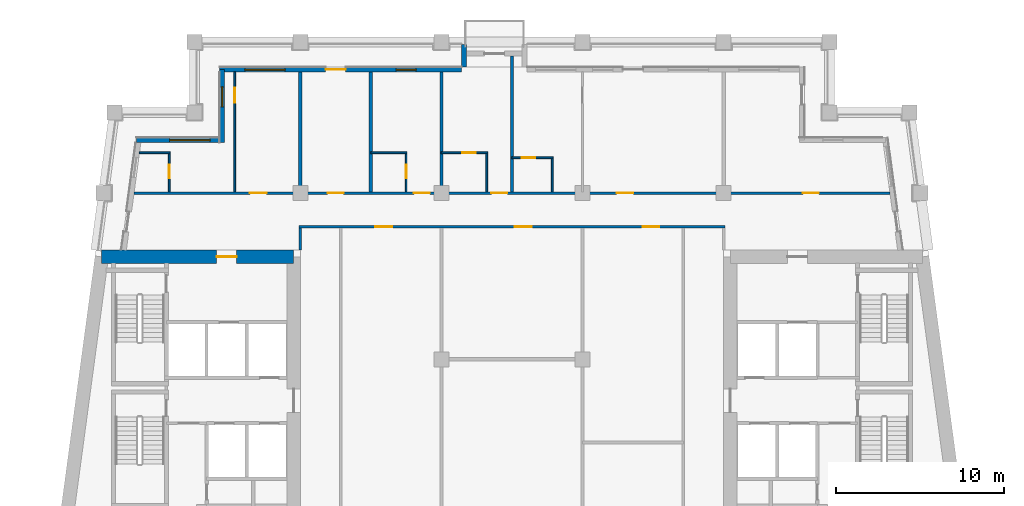
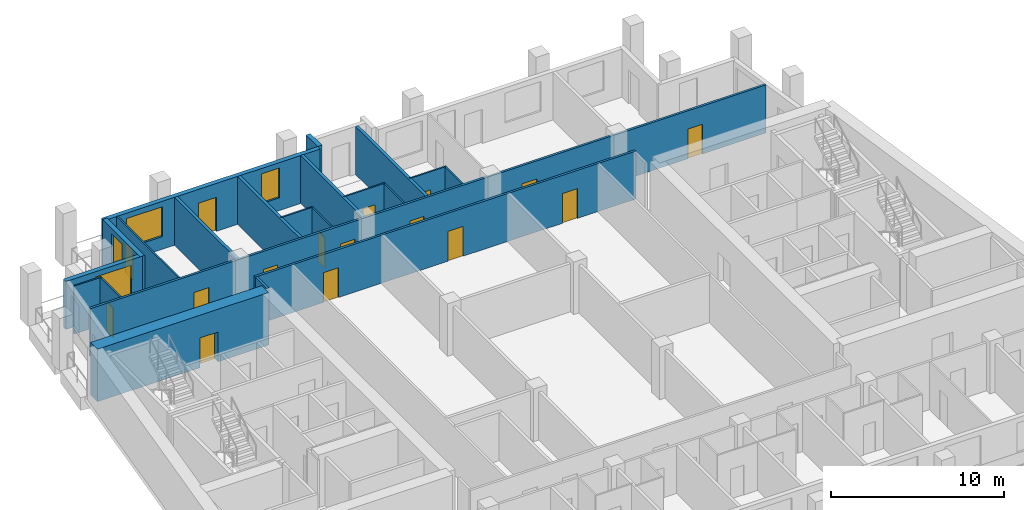
# One storey, part 6 of 12: 21 walls, 16 doors, 4 windows, 20 openings.
"""IFC4 building model written with IfcOpenShell, lengths in metres."""

from ifc_helpers import new_model, si_unit, direction, frame, frame_2d, origin, place, context, subcontext, project, spatial, rectangle, extrude, material, layer, layer_set, type_object, element, fill, save


model = new_model("IFC4")

# Units and contexts
model_context = context("Model", 3, precision=1e-05, world=origin(), true_north=direction((0.0, 1.0)))
body_context = subcontext(model_context, "Body", "Model", "MODEL_VIEW")
ifc_project = project(units=[si_unit("LENGTHUNIT", "METRE"), si_unit("AREAUNIT", "SQUARE_METRE"), si_unit("VOLUMEUNIT", "CUBIC_METRE"), si_unit("PLANEANGLEUNIT", "RADIAN"), si_unit("MASSUNIT", "GRAM", prefix="KILO")], contexts=[model_context])

# Site, building, storey
site_placement = place(None, origin())
site = spatial("IfcSite", under=ifc_project, at=site_placement, CompositionType="ELEMENT")
building_placement = place(site_placement, origin())
building = spatial("IfcBuilding", under=site, at=building_placement, Name="Candeia Pilgrim Tower and Theatre", CompositionType="ELEMENT")
storey_placement = place(building_placement, frame((0.0, 0.0, 217.0)))
storey = spatial("IfcBuildingStorey", under=building, at=storey_placement, Name="L52", CompositionType="ELEMENT", Elevation=217.0)

# Wall, opening, door
ifc_material_1 = material(Name="Concrete C50/60", Category="concrete")
ifc_layer_1 = layer(ifc_material_1, 0.800048828125)
ifc_layer_set_1 = layer_set([ifc_layer_1], Name="Core wall 800 C50/60")
wall_type_1 = type_object("IfcWallType", Name="Core wall 800 C50/60", PredefinedType="SHEAR", material=ifc_layer_set_1)
wall_1_placement = place(storey_placement, frame((88.98046875, 132.0, 0.0), z_axis=(0.0, 0.0, 1.0), x_axis=(1.0, 0.0, 0.0)))
wall_1 = element("IfcWall", 1, at=wall_1_placement, inside=storey, type_object=wall_type_1, Name="Core wall W1", PredefinedType="SHEAR", context=body_context, shape_type="SweptSolid", body=[
    extrude(rectangle(XDim=11.41943359375, YDim=0.800048828125, at=frame_2d((5.709716796875, 0.0))), origin(), (0.0, 0.0, 1.0), 3.699951171875),
])
opening_1_placement = place(wall_1_placement, frame((6.8330078125, 0.0, 0.0)))
opening_1 = element("IfcOpeningElement", 2, at=opening_1_placement, cuts=wall_1, Name="Opening L52-D054", PredefinedType="OPENING", context=body_context, shape_type="SweptSolid", body=[
    extrude(rectangle(XDim=1.199951171875, YDim=2.10009765625, at=frame_2d((0.60009765625, 1.050048828125))), frame((0.0, 0.41015625, 0.0), z_axis=(0.0, -1.0, 0.0), x_axis=(1.0, 0.0, 0.0)), (0.0, 0.0, 1.0), 0.820068359375),
])
ifc_material_2 = material(Name="Steel fire door set", Category="steel")
door_type_1 = type_object("IfcDoorType", Name="D-1200-FD60", OperationType="NOTDEFINED", PredefinedType="DOOR", material=ifc_material_2)
door_1_placement = place(opening_1_placement, origin())
door_1 = element("IfcDoor", 3, at=door_1_placement, inside=storey, type_object=door_type_1, Name="Door L52-D054", OperationType="SINGLE_SWING_RIGHT", OverallHeight=2.10009765625, OverallWidth=1.199951171875, PredefinedType="DOOR", context=body_context, shape_type="SweptSolid", body=[
    extrude(rectangle(XDim=1.199951171875, YDim=2.10009765625, at=frame_2d((0.60009765625, 1.050048828125))), frame((0.0, 0.02490234375, 0.0), z_axis=(0.0, -1.0, 0.0), x_axis=(1.0, 0.0, 0.0)), (0.0, 0.0, 1.0), 0.050048828125),
])
fill(opening_1, door_1)

# Wall, openings, door, windows
ifc_material_3 = material(Name="Ceramic block masonry", Category="masonry")
ifc_layer_2 = layer(ifc_material_3, 0.300048828125)
ifc_layer_set_2 = layer_set([ifc_layer_2], Name="EW1 glazing-line wall 300")
wall_type_2 = type_object("IfcWallType", Name="EW1 glazing-line wall 300", PredefinedType="SOLIDWALL", material=ifc_layer_set_2)
wall_2_placement = place(storey_placement, frame((110.39990234375, 143.14990234375, 0.0), z_axis=(0.0, 0.0, 1.0), x_axis=(-1.0, 0.0, 0.0)))
wall_2 = element("IfcWall", 4, at=wall_2_placement, inside=storey, type_object=wall_type_2, Name="External wall L52-6.1", PredefinedType="SOLIDWALL", context=body_context, shape_type="SweptSolid", body=[
    extrude(rectangle(XDim=14.39990234375, YDim=0.300048828125, at=frame_2d((7.199951171875, 0.0))), origin(), (0.0, 0.0, 1.0), 3.3798828125),
])
opening_2_placement = place(wall_2_placement, frame((2.699951171875, 0.0, 0.89990234375)))
opening_2 = element("IfcOpeningElement", 5, at=opening_2_placement, cuts=wall_2, Name="Opening W-B", PredefinedType="OPENING", context=body_context, shape_type="SweptSolid", body=[
    extrude(rectangle(XDim=1.199951171875, YDim=2.10009765625, at=frame_2d((0.60009765625, 1.050048828125))), frame((0.0, 0.16015625, 0.0), z_axis=(0.0, -1.0, 0.0), x_axis=(1.0, 0.0, 0.0)), (0.0, 0.0, 1.0), 0.320068359375),
])
opening_3_placement = place(wall_2_placement, frame((6.89990234375, 0.0, 0.0)))
opening_3 = element("IfcOpeningElement", 6, at=opening_3_placement, cuts=wall_2, Name="Opening L52-ED499", PredefinedType="OPENING", context=body_context, shape_type="SweptSolid", body=[
    extrude(rectangle(XDim=1.199951171875, YDim=2.39990234375, at=frame_2d((0.60009765625, 1.199951171875))), frame((0.0, 0.16015625, 0.0), z_axis=(0.0, -1.0, 0.0), x_axis=(1.0, 0.0, 0.0)), (0.0, 0.0, 1.0), 0.320068359375),
])
opening_4_placement = place(wall_2_placement, frame((10.5, 0.0, 0.89990234375)))
opening_4 = element("IfcOpeningElement", 7, at=opening_4_placement, cuts=wall_2, Name="Opening W-A", PredefinedType="OPENING", context=body_context, shape_type="SweptSolid", body=[
    extrude(rectangle(XDim=2.39990234375, YDim=2.10009765625, at=frame_2d((1.199951171875, 1.050048828125))), frame((0.0, 0.16015625, 0.0), z_axis=(0.0, -1.0, 0.0), x_axis=(1.0, 0.0, 0.0)), (0.0, 0.0, 1.0), 0.320068359375),
])
ifc_material_4 = material(Name="Aluminium framed glazed door", Category="aluminium")
door_type_2 = type_object("IfcDoorType", Name="Loggia door 1200x2400", OperationType="DOUBLE_DOOR_SINGLE_SWING", PredefinedType="DOOR", material=ifc_material_4)
door_2_placement = place(opening_3_placement, origin())
door_2 = element("IfcDoor", 8, at=door_2_placement, inside=storey, type_object=door_type_2, Name="Loggia door L52-ED499", OperationType="DOUBLE_DOOR_SINGLE_SWING", OverallHeight=2.39990234375, OverallWidth=1.199951171875, PredefinedType="DOOR", context=body_context, shape_type="SweptSolid", body=[
    extrude(rectangle(XDim=1.199951171875, YDim=2.39990234375, at=frame_2d((0.60009765625, 1.199951171875))), frame((0.0, 0.02490234375, 0.0), z_axis=(0.0, -1.0, 0.0), x_axis=(1.0, 0.0, 0.0)), (0.0, 0.0, 1.0), 0.050048828125),
])
fill(opening_3, door_2)
ifc_material_5 = material(Name="Aluminium framed double glazing", Category="aluminium")
window_type_1 = type_object("IfcWindowType", Name="W-A window 2400x2100", PartitioningType="DOUBLE_PANEL_VERTICAL", PredefinedType="WINDOW", material=ifc_material_5)
window_1_placement = place(opening_4_placement, origin())
window_1 = element("IfcWindow", 9, at=window_1_placement, inside=storey, type_object=window_type_1, Name="Window W-A L52", OverallHeight=2.10009765625, OverallWidth=2.39990234375, PartitioningType="SINGLE_PANEL", PredefinedType="WINDOW", context=body_context, shape_type="SweptSolid", body=[
    extrude(rectangle(XDim=2.39990234375, YDim=2.10009765625, at=frame_2d((1.199951171875, 1.050048828125))), frame((0.0, 0.030029296875, 0.0), z_axis=(0.0, -1.0, 0.0), x_axis=(1.0, 0.0, 0.0)), (0.0, 0.0, 1.0), 0.06005859375),
])
fill(opening_4, window_1)
window_type_2 = type_object("IfcWindowType", Name="W-B window 1200x2100", PartitioningType="SINGLE_PANEL", PredefinedType="WINDOW", material=ifc_material_5)
window_2_placement = place(opening_2_placement, origin())
window_2 = element("IfcWindow", 10, at=window_2_placement, inside=storey, type_object=window_type_2, Name="Window W-B L52", OverallHeight=2.10009765625, OverallWidth=1.199951171875, PartitioningType="SINGLE_PANEL", PredefinedType="WINDOW", context=body_context, shape_type="SweptSolid", body=[
    extrude(rectangle(XDim=1.199951171875, YDim=2.10009765625, at=frame_2d((0.60009765625, 1.050048828125))), frame((0.0, 0.030029296875, 0.0), z_axis=(0.0, -1.0, 0.0), x_axis=(1.0, 0.0, 0.0)), (0.0, 0.0, 1.0), 0.06005859375),
])
fill(opening_2, window_2)

# Wall, opening, window
wall_3_placement = place(storey_placement, frame((96.14990234375, 143.14990234375, 0.0), z_axis=(0.0, 0.0, 1.0), x_axis=(0.0, -1.0, 0.0)))
wall_3 = element("IfcWall", 11, at=wall_3_placement, inside=storey, type_object=wall_type_2, Name="External wall L52-7.0", PredefinedType="SOLIDWALL", context=body_context, shape_type="SweptSolid", body=[
    extrude(rectangle(XDim=4.349853515625, YDim=0.300048828125, at=frame_2d((2.1748046875, 0.0))), origin(), (0.0, 0.0, 1.0), 3.3798828125),
])
opening_5_placement = place(wall_3_placement, frame((1.02490234375, 0.0, 0.89990234375)))
opening_5 = element("IfcOpeningElement", 12, at=opening_5_placement, cuts=wall_3, Name="Opening W-B", PredefinedType="OPENING", context=body_context, shape_type="SweptSolid", body=[
    extrude(rectangle(XDim=1.199951171875, YDim=2.10009765625, at=frame_2d((0.60009765625, 1.050048828125))), frame((0.0, 0.16015625, 0.0), z_axis=(0.0, -1.0, 0.0), x_axis=(1.0, 0.0, 0.0)), (0.0, 0.0, 1.0), 0.320068359375),
])
window_3_placement = place(opening_5_placement, origin())
window_3 = element("IfcWindow", 13, at=window_3_placement, inside=storey, type_object=window_type_2, Name="Window W-B L52", OverallHeight=2.10009765625, OverallWidth=1.199951171875, PartitioningType="SINGLE_PANEL", PredefinedType="WINDOW", context=body_context, shape_type="SweptSolid", body=[
    extrude(rectangle(XDim=1.199951171875, YDim=2.10009765625, at=frame_2d((0.60009765625, 1.050048828125))), frame((0.0, 0.030029296875, 0.0), z_axis=(0.0, -1.0, 0.0), x_axis=(1.0, 0.0, 0.0)), (0.0, 0.0, 1.0), 0.06005859375),
])
fill(opening_5, window_3)

wall_4_placement = place(storey_placement, frame((96.14990234375, 138.949951171875, 0.0), z_axis=(0.0, 0.0, 1.0), x_axis=(-1.0, 0.0, 0.0)))
wall_4 = element("IfcWall", 14, at=wall_4_placement, inside=storey, type_object=wall_type_2, Name="External wall L52-8.0", PredefinedType="SOLIDWALL", context=body_context, shape_type="SweptSolid", body=[
    extrude(rectangle(XDim=5.103759765625, YDim=0.300048828125, at=frame_2d((2.5517578125, 0.0))), origin(), (0.0, 0.0, 1.0), 3.3798828125),
])
opening_6_placement = place(wall_4_placement, frame((0.72509765625, 0.0, 0.89990234375)))
opening_6 = element("IfcOpeningElement", 15, at=opening_6_placement, cuts=wall_4, Name="Opening W-A", PredefinedType="OPENING", context=body_context, shape_type="SweptSolid", body=[
    extrude(rectangle(XDim=2.39990234375, YDim=2.10009765625, at=frame_2d((1.199951171875, 1.050048828125))), frame((0.0, 0.16015625, 0.0), z_axis=(0.0, -1.0, 0.0), x_axis=(1.0, 0.0, 0.0)), (0.0, 0.0, 1.0), 0.320068359375),
])
window_4_placement = place(opening_6_placement, origin())
window_4 = element("IfcWindow", 16, at=window_4_placement, inside=storey, type_object=window_type_1, Name="Window W-A L52", OverallHeight=2.10009765625, OverallWidth=2.39990234375, PartitioningType="SINGLE_PANEL", PredefinedType="WINDOW", context=body_context, shape_type="SweptSolid", body=[
    extrude(rectangle(XDim=2.39990234375, YDim=2.10009765625, at=frame_2d((1.199951171875, 1.050048828125))), frame((0.0, 0.030029296875, 0.0), z_axis=(0.0, -1.0, 0.0), x_axis=(1.0, 0.0, 0.0)), (0.0, 0.0, 1.0), 0.06005859375),
])
fill(opening_6, window_4)

# Wall
ifc_layer_3 = layer(ifc_material_3, 0.300048828125)
ifc_layer_set_3 = layer_set([ifc_layer_3], Name="EW2 entrance infill wall 300")
wall_type_3 = type_object("IfcWallType", Name="EW2 entrance infill wall 300", PredefinedType="SOLIDWALL", material=ifc_layer_set_3)
wall_5_placement = place(storey_placement, frame((110.550048828125, 143.300048828125, 0.0), z_axis=(0.0, 0.0, 1.0), x_axis=(0.0, 1.0, 0.0)))
element("IfcWall", 17, at=wall_5_placement, inside=storey, type_object=wall_type_3, Name="Alcove wall L52", PredefinedType="SOLIDWALL", context=body_context, shape_type="SweptSolid", body=[
    extrude(rectangle(XDim=1.349853515625, YDim=0.300048828125, at=frame_2d((0.6748046875, 0.0))), origin(), (0.0, 0.0, 1.0), 3.3798828125),
])

# Wall, opening, door
ifc_material_6 = material(Name="Gypsum board partition on steel studs", Category="steel")
ifc_layer_4 = layer(ifc_material_6, 0.10009765625)
ifc_layer_set_4 = layer_set([ifc_layer_4], Name="PW-100 room partition")
wall_type_4 = type_object("IfcWallType", Name="PW-100 room partition", PredefinedType="PARTITIONING", material=ifc_layer_set_4)
wall_6_placement = place(storey_placement, frame((113.39990234375, 137.89990234375, 0.0), z_axis=(0.0, 0.0, 1.0), x_axis=(1.0, 0.0, 0.0)))
wall_6 = element("IfcWall", 18, at=wall_6_placement, inside=storey, type_object=wall_type_4, Name="Room partition L52-045", PredefinedType="PARTITIONING", context=body_context, shape_type="SweptSolid", body=[
    extrude(rectangle(XDim=2.4501953125, YDim=0.10009765625, at=frame_2d((1.22509765625, 0.0))), origin(), (0.0, 0.0, 1.0), 3.3798828125),
])
opening_7_placement = place(wall_6_placement, frame((0.574951171875, 0.0, 0.0)))
opening_7 = element("IfcOpeningElement", 19, at=opening_7_placement, cuts=wall_6, Name="Opening L52-D044", PredefinedType="OPENING", context=body_context, shape_type="SweptSolid", body=[
    extrude(rectangle(XDim=0.800048828125, YDim=2.10009765625, at=frame_2d((0.39990234375, 1.050048828125))), frame((0.0, 0.06005859375, 0.0), z_axis=(0.0, -1.0, 0.0), x_axis=(1.0, 0.0, 0.0)), (0.0, 0.0, 1.0), 0.1201171875),
])
ifc_material_7 = material(Name="Timber door leaf", Category="wood")
door_type_3 = type_object("IfcDoorType", Name="D-800", OperationType="NOTDEFINED", PredefinedType="DOOR", material=ifc_material_7)
door_3_placement = place(opening_7_placement, origin())
door_3 = element("IfcDoor", 20, at=door_3_placement, inside=storey, type_object=door_type_3, Name="Door L52-D044", OperationType="SINGLE_SWING_RIGHT", OverallHeight=2.10009765625, OverallWidth=0.800048828125, PredefinedType="DOOR", context=body_context, shape_type="SweptSolid", body=[
    extrude(rectangle(XDim=0.800048828125, YDim=2.10009765625, at=frame_2d((0.39990234375, 1.050048828125))), frame((0.0, 0.02490234375, 0.0), z_axis=(0.0, -1.0, 0.0), x_axis=(1.0, 0.0, 0.0)), (0.0, 0.0, 1.0), 0.050048828125),
])
fill(opening_7, door_3)

# Walls
wall_7_placement = place(storey_placement, frame((91.2177734375, 138.199951171875, 0.0), z_axis=(0.0, 0.0, 1.0), x_axis=(1.0, 0.0, 0.0)))
element("IfcWall", 21, at=wall_7_placement, inside=storey, type_object=wall_type_4, Name="Room partition L52-046", PredefinedType="PARTITIONING", context=body_context, shape_type="SweptSolid", body=[
    extrude(rectangle(XDim=1.832275390625, YDim=0.10009765625, at=frame_2d((0.916015625, 0.0))), origin(), (0.0, 0.0, 1.0), 3.3798828125),
])
wall_8_placement = place(storey_placement, frame((105.0, 138.199951171875, 0.0), z_axis=(0.0, 0.0, 1.0), x_axis=(1.0, 0.0, 0.0)))
element("IfcWall", 22, at=wall_8_placement, inside=storey, type_object=wall_type_4, Name="Room partition L52-047", PredefinedType="PARTITIONING", context=body_context, shape_type="SweptSolid", body=[
    extrude(rectangle(XDim=2.14990234375, YDim=0.10009765625, at=frame_2d((1.074951171875, 0.0))), origin(), (0.0, 0.0, 1.0), 3.3798828125),
])

# Wall, opening, door
wall_9_placement = place(storey_placement, frame((109.199951171875, 138.199951171875, 0.0), z_axis=(0.0, 0.0, 1.0), x_axis=(1.0, 0.0, 0.0)))
wall_9 = element("IfcWall", 23, at=wall_9_placement, inside=storey, type_object=wall_type_4, Name="Room partition L52-048", PredefinedType="PARTITIONING", context=body_context, shape_type="SweptSolid", body=[
    extrude(rectangle(XDim=2.75, YDim=0.10009765625, at=frame_2d((1.375, 0.0))), origin(), (0.0, 0.0, 1.0), 3.3798828125),
])
opening_8_placement = place(wall_9_placement, frame((1.25, 0.0, 0.0)))
opening_8 = element("IfcOpeningElement", 24, at=opening_8_placement, cuts=wall_9, Name="Opening L52-D041", PredefinedType="OPENING", context=body_context, shape_type="SweptSolid", body=[
    extrude(rectangle(XDim=0.800048828125, YDim=2.10009765625, at=frame_2d((0.39990234375, 1.050048828125))), frame((0.0, 0.06005859375, 0.0), z_axis=(0.0, -1.0, 0.0), x_axis=(1.0, 0.0, 0.0)), (0.0, 0.0, 1.0), 0.1201171875),
])
door_4_placement = place(opening_8_placement, origin())
door_4 = element("IfcDoor", 25, at=door_4_placement, inside=storey, type_object=door_type_3, Name="Door L52-D041", OperationType="SINGLE_SWING_LEFT", OverallHeight=2.10009765625, OverallWidth=0.800048828125, PredefinedType="DOOR", context=body_context, shape_type="SweptSolid", body=[
    extrude(rectangle(XDim=0.800048828125, YDim=2.10009765625, at=frame_2d((0.39990234375, 1.050048828125))), frame((0.0, 0.02490234375, 0.0), z_axis=(0.0, -1.0, 0.0), x_axis=(1.0, 0.0, 0.0)), (0.0, 0.0, 1.0), 0.050048828125),
])
fill(opening_8, door_4)

wall_10_placement = place(storey_placement, frame((93.0, 135.875, 0.0), z_axis=(0.0, 0.0, 1.0), x_axis=(0.0, 1.0, 0.0)))
wall_10 = element("IfcWall", 26, at=wall_10_placement, inside=storey, type_object=wall_type_4, Name="Room partition L52-060", PredefinedType="PARTITIONING", context=body_context, shape_type="SweptSolid", body=[
    extrude(rectangle(XDim=2.27490234375, YDim=0.10009765625, at=frame_2d((1.137451171875, 0.0))), origin(), (0.0, 0.0, 1.0), 3.3798828125),
])
opening_9_placement = place(wall_10_placement, frame((0.81494140625, 0.0, 0.0)))
opening_9 = element("IfcOpeningElement", 27, at=opening_9_placement, cuts=wall_10, Name="Opening L52-D036", PredefinedType="OPENING", context=body_context, shape_type="SweptSolid", body=[
    extrude(rectangle(XDim=0.800048828125, YDim=2.10009765625, at=frame_2d((0.39990234375, 1.050048828125))), frame((0.0, 0.06005859375, 0.0), z_axis=(0.0, -1.0, 0.0), x_axis=(1.0, 0.0, 0.0)), (0.0, 0.0, 1.0), 0.1201171875),
])
door_5_placement = place(opening_9_placement, origin())
door_5 = element("IfcDoor", 28, at=door_5_placement, inside=storey, type_object=door_type_3, Name="Door L52-D036", OperationType="SINGLE_SWING_RIGHT", OverallHeight=2.10009765625, OverallWidth=0.800048828125, PredefinedType="DOOR", context=body_context, shape_type="SweptSolid", body=[
    extrude(rectangle(XDim=0.800048828125, YDim=2.10009765625, at=frame_2d((0.39990234375, 1.050048828125))), frame((0.0, 0.02490234375, 0.0), z_axis=(0.0, -1.0, 0.0), x_axis=(1.0, 0.0, 0.0)), (0.0, 0.0, 1.0), 0.050048828125),
])
fill(opening_9, door_5)

wall_11_placement = place(storey_placement, frame((96.89990234375, 135.875, 0.0), z_axis=(0.0, 0.0, 1.0), x_axis=(0.0, 1.0, 0.0)))
wall_11 = element("IfcWall", 29, at=wall_11_placement, inside=storey, type_object=wall_type_4, Name="Room partition L52-067", PredefinedType="PARTITIONING", context=body_context, shape_type="SweptSolid", body=[
    extrude(rectangle(XDim=7.135009765625, YDim=0.10009765625, at=frame_2d((3.5673828125, 0.0))), origin(), (0.0, 0.0, 1.0), 3.3798828125),
])
opening_10_placement = place(wall_11_placement, frame((5.2900390625, 0.0, 0.0)))
opening_10 = element("IfcOpeningElement", 30, at=opening_10_placement, cuts=wall_11, Name="Opening L52-D035", PredefinedType="OPENING", context=body_context, shape_type="SweptSolid", body=[
    extrude(rectangle(XDim=0.89990234375, YDim=2.10009765625, at=frame_2d((0.449951171875, 1.050048828125))), frame((0.0, 0.06005859375, 0.0), z_axis=(0.0, -1.0, 0.0), x_axis=(1.0, 0.0, 0.0)), (0.0, 0.0, 1.0), 0.1201171875),
])
door_type_4 = type_object("IfcDoorType", Name="D-900", OperationType="NOTDEFINED", PredefinedType="DOOR", material=ifc_material_7)
door_6_placement = place(opening_10_placement, origin())
door_6 = element("IfcDoor", 31, at=door_6_placement, inside=storey, type_object=door_type_4, Name="Door L52-D035", OperationType="SINGLE_SWING_LEFT", OverallHeight=2.10009765625, OverallWidth=0.89990234375, PredefinedType="DOOR", context=body_context, shape_type="SweptSolid", body=[
    extrude(rectangle(XDim=0.89990234375, YDim=2.10009765625, at=frame_2d((0.449951171875, 1.050048828125))), frame((0.0, 0.02490234375, 0.0), z_axis=(0.0, -1.0, 0.0), x_axis=(1.0, 0.0, 0.0)), (0.0, 0.0, 1.0), 0.050048828125),
])
fill(opening_10, door_6)

wall_12_placement = place(storey_placement, frame((107.10009765625, 135.875, 0.0), z_axis=(0.0, 0.0, 1.0), x_axis=(0.0, 1.0, 0.0)))
wall_12 = element("IfcWall", 32, at=wall_12_placement, inside=storey, type_object=wall_type_4, Name="Room partition L52-080", PredefinedType="PARTITIONING", context=body_context, shape_type="SweptSolid", body=[
    extrude(rectangle(XDim=2.27490234375, YDim=0.10009765625, at=frame_2d((1.137451171875, 0.0))), origin(), (0.0, 0.0, 1.0), 3.3798828125),
])
opening_11_placement = place(wall_12_placement, frame((0.81494140625, 0.0, 0.0)))
opening_11 = element("IfcOpeningElement", 33, at=opening_11_placement, cuts=wall_12, Name="Opening L52-D039", PredefinedType="OPENING", context=body_context, shape_type="SweptSolid", body=[
    extrude(rectangle(XDim=0.800048828125, YDim=2.10009765625, at=frame_2d((0.39990234375, 1.050048828125))), frame((0.0, 0.06005859375, 0.0), z_axis=(0.0, -1.0, 0.0), x_axis=(1.0, 0.0, 0.0)), (0.0, 0.0, 1.0), 0.1201171875),
])
door_7_placement = place(opening_11_placement, origin())
door_7 = element("IfcDoor", 34, at=door_7_placement, inside=storey, type_object=door_type_3, Name="Door L52-D039", OperationType="SINGLE_SWING_LEFT", OverallHeight=2.10009765625, OverallWidth=0.800048828125, PredefinedType="DOOR", context=body_context, shape_type="SweptSolid", body=[
    extrude(rectangle(XDim=0.800048828125, YDim=2.10009765625, at=frame_2d((0.39990234375, 1.050048828125))), frame((0.0, 0.02490234375, 0.0), z_axis=(0.0, -1.0, 0.0), x_axis=(1.0, 0.0, 0.0)), (0.0, 0.0, 1.0), 0.050048828125),
])
fill(opening_11, door_7)

# Walls
wall_13_placement = place(storey_placement, frame((111.89990234375, 135.875, 0.0), z_axis=(0.0, 0.0, 1.0), x_axis=(0.0, 1.0, 0.0)))
element("IfcWall", 35, at=wall_13_placement, inside=storey, type_object=wall_type_4, Name="Room partition L52-085", PredefinedType="PARTITIONING", context=body_context, shape_type="SweptSolid", body=[
    extrude(rectangle(XDim=2.27490234375, YDim=0.10009765625, at=frame_2d((1.137451171875, 0.0))), origin(), (0.0, 0.0, 1.0), 3.3798828125),
])
wall_14_placement = place(storey_placement, frame((115.800048828125, 135.875, 0.0), z_axis=(0.0, 0.0, 1.0), x_axis=(0.0, 1.0, 0.0)))
element("IfcWall", 36, at=wall_14_placement, inside=storey, type_object=wall_type_4, Name="Room partition L52-089", PredefinedType="PARTITIONING", context=body_context, shape_type="SweptSolid", body=[
    extrude(rectangle(XDim=1.97509765625, YDim=0.10009765625, at=frame_2d((0.987548828125, 0.0))), origin(), (0.0, 0.0, 1.0), 3.3798828125),
])

# Wall, openings, doors
ifc_layer_5 = layer(ifc_material_6, 0.14990234375)
ifc_layer_set_5 = layer_set([ifc_layer_5], Name="PW-150 unit wall")
wall_type_5 = type_object("IfcWallType", Name="PW-150 unit wall", PredefinedType="PARTITIONING", material=ifc_layer_set_5)
wall_15_placement = place(storey_placement, frame((100.72509765625, 133.800048828125, 0.0), z_axis=(0.0, 0.0, 1.0), x_axis=(1.0, 0.0, 0.0)))
wall_15 = element("IfcWall", 37, at=wall_15_placement, inside=storey, type_object=wall_type_5, Name="Unit wall L52-043", PredefinedType="PARTITIONING", context=body_context, shape_type="SweptSolid", body=[
    extrude(rectangle(XDim=25.349853515625, YDim=0.14990234375, at=frame_2d((12.6748046875, 0.0))), origin(), (0.0, 0.0, 1.0), 3.3798828125),
])
opening_12_placement = place(wall_15_placement, frame((4.544921875, 0.0, 0.0)))
opening_12 = element("IfcOpeningElement", 38, at=opening_12_placement, cuts=wall_15, Name="Opening L52-D048", PredefinedType="OPENING", context=body_context, shape_type="SweptSolid", body=[
    extrude(rectangle(XDim=1.0, YDim=2.10009765625, at=frame_2d((0.5, 1.050048828125))), frame((0.0, 0.0849609375, 0.0), z_axis=(0.0, -1.0, 0.0), x_axis=(1.0, 0.0, 0.0)), (0.0, 0.0, 1.0), 0.169921875),
])
opening_13_placement = place(wall_15_placement, frame((12.844970703125, 0.0, 0.0)))
opening_13 = element("IfcOpeningElement", 39, at=opening_13_placement, cuts=wall_15, Name="Opening L52-D050", PredefinedType="OPENING", context=body_context, shape_type="SweptSolid", body=[
    extrude(rectangle(XDim=1.0, YDim=2.10009765625, at=frame_2d((0.5, 1.050048828125))), frame((0.0, 0.0849609375, 0.0), z_axis=(0.0, -1.0, 0.0), x_axis=(1.0, 0.0, 0.0)), (0.0, 0.0, 1.0), 0.169921875),
])
opening_14_placement = place(wall_15_placement, frame((20.449951171875, 0.0, 0.0)))
opening_14 = element("IfcOpeningElement", 40, at=opening_14_placement, cuts=wall_15, Name="Opening L52-D052", PredefinedType="OPENING", context=body_context, shape_type="SweptSolid", body=[
    extrude(rectangle(XDim=1.0, YDim=2.10009765625, at=frame_2d((0.5, 1.050048828125))), frame((0.0, 0.0849609375, 0.0), z_axis=(0.0, -1.0, 0.0), x_axis=(1.0, 0.0, 0.0)), (0.0, 0.0, 1.0), 0.169921875),
])
door_type_5 = type_object("IfcDoorType", Name="D-1000-FD30S", OperationType="NOTDEFINED", PredefinedType="DOOR", material=ifc_material_2)
door_8_placement = place(opening_12_placement, origin())
door_8 = element("IfcDoor", 41, at=door_8_placement, inside=storey, type_object=door_type_5, Name="Door L52-D048", OperationType="SINGLE_SWING_RIGHT", OverallHeight=2.10009765625, OverallWidth=1.0, PredefinedType="DOOR", context=body_context, shape_type="SweptSolid", body=[
    extrude(rectangle(XDim=1.0, YDim=2.10009765625, at=frame_2d((0.5, 1.050048828125))), frame((0.0, 0.02490234375, 0.0), z_axis=(0.0, -1.0, 0.0), x_axis=(1.0, 0.0, 0.0)), (0.0, 0.0, 1.0), 0.050048828125),
])
fill(opening_12, door_8)
door_9_placement = place(opening_13_placement, origin())
door_9 = element("IfcDoor", 42, at=door_9_placement, inside=storey, type_object=door_type_5, Name="Door L52-D050", OperationType="SINGLE_SWING_RIGHT", OverallHeight=2.10009765625, OverallWidth=1.0, PredefinedType="DOOR", context=body_context, shape_type="SweptSolid", body=[
    extrude(rectangle(XDim=1.0, YDim=2.10009765625, at=frame_2d((0.5, 1.050048828125))), frame((0.0, 0.02490234375, 0.0), z_axis=(0.0, -1.0, 0.0), x_axis=(1.0, 0.0, 0.0)), (0.0, 0.0, 1.0), 0.050048828125),
])
fill(opening_13, door_9)
door_10_placement = place(opening_14_placement, origin())
door_10 = element("IfcDoor", 43, at=door_10_placement, inside=storey, type_object=door_type_5, Name="Door L52-D052", OperationType="SINGLE_SWING_RIGHT", OverallHeight=2.10009765625, OverallWidth=1.0, PredefinedType="DOOR", context=body_context, shape_type="SweptSolid", body=[
    extrude(rectangle(XDim=1.0, YDim=2.10009765625, at=frame_2d((0.5, 1.050048828125))), frame((0.0, 0.02490234375, 0.0), z_axis=(0.0, -1.0, 0.0), x_axis=(1.0, 0.0, 0.0)), (0.0, 0.0, 1.0), 0.050048828125),
])
fill(opening_14, door_10)

wall_16_placement = place(storey_placement, frame((90.89453125, 135.800048828125, 0.0), z_axis=(0.0, 0.0, 1.0), x_axis=(1.0, 0.0, 0.0)))
wall_16 = element("IfcWall", 44, at=wall_16_placement, inside=storey, type_object=wall_type_5, Name="Unit wall L52-044", PredefinedType="PARTITIONING", context=body_context, shape_type="SweptSolid", body=[
    extrude(rectangle(XDim=45.010986328125, YDim=0.14990234375, at=frame_2d((22.50537109375, 0.0))), origin(), (0.0, 0.0, 1.0), 3.3798828125),
])
opening_15_placement = place(wall_16_placement, frame((6.905517578125, 0.0, 0.0)))
opening_15 = element("IfcOpeningElement", 45, at=opening_15_placement, cuts=wall_16, Name="Opening L52-D034", PredefinedType="OPENING", context=body_context, shape_type="SweptSolid", body=[
    extrude(rectangle(XDim=1.0, YDim=2.10009765625, at=frame_2d((0.5, 1.050048828125))), frame((0.0, 0.0849609375, 0.0), z_axis=(0.0, -1.0, 0.0), x_axis=(1.0, 0.0, 0.0)), (0.0, 0.0, 1.0), 0.169921875),
])
opening_16_placement = place(wall_16_placement, frame((11.530517578125, 0.0, 0.0)))
opening_16 = element("IfcOpeningElement", 46, at=opening_16_placement, cuts=wall_16, Name="Opening L52-D037", PredefinedType="OPENING", context=body_context, shape_type="SweptSolid", body=[
    extrude(rectangle(XDim=0.949951171875, YDim=2.10009765625, at=frame_2d((0.47509765625, 1.050048828125))), frame((0.0, 0.0849609375, 0.0), z_axis=(0.0, -1.0, 0.0), x_axis=(1.0, 0.0, 0.0)), (0.0, 0.0, 1.0), 0.169921875),
])
opening_17_placement = place(wall_16_placement, frame((16.66748046875, 0.0, 0.0)))
opening_17 = element("IfcOpeningElement", 47, at=opening_17_placement, cuts=wall_16, Name="Opening L52-D038", PredefinedType="OPENING", context=body_context, shape_type="SweptSolid", body=[
    extrude(rectangle(XDim=0.949951171875, YDim=2.10009765625, at=frame_2d((0.47509765625, 1.050048828125))), frame((0.0, 0.0849609375, 0.0), z_axis=(0.0, -1.0, 0.0), x_axis=(1.0, 0.0, 0.0)), (0.0, 0.0, 1.0), 0.169921875),
])
opening_18_placement = place(wall_16_placement, frame((21.280517578125, 0.0, 0.0)))
opening_18 = element("IfcOpeningElement", 48, at=opening_18_placement, cuts=wall_16, Name="Opening L52-D040", PredefinedType="OPENING", context=body_context, shape_type="SweptSolid", body=[
    extrude(rectangle(XDim=0.949951171875, YDim=2.10009765625, at=frame_2d((0.47509765625, 1.050048828125))), frame((0.0, 0.0849609375, 0.0), z_axis=(0.0, -1.0, 0.0), x_axis=(1.0, 0.0, 0.0)), (0.0, 0.0, 1.0), 0.169921875),
])
opening_19_placement = place(wall_16_placement, frame((28.73046875, 0.0, 0.0)))
opening_19 = element("IfcOpeningElement", 49, at=opening_19_placement, cuts=wall_16, Name="Opening L52-D042", PredefinedType="OPENING", context=body_context, shape_type="SweptSolid", body=[
    extrude(rectangle(XDim=1.0, YDim=2.10009765625, at=frame_2d((0.5, 1.050048828125))), frame((0.0, 0.0849609375, 0.0), z_axis=(0.0, -1.0, 0.0), x_axis=(1.0, 0.0, 0.0)), (0.0, 0.0, 1.0), 0.169921875),
])
opening_20_placement = place(wall_16_placement, frame((39.814453125, 0.0, 0.0)))
opening_20 = element("IfcOpeningElement", 50, at=opening_20_placement, cuts=wall_16, Name="Opening L52-D045", PredefinedType="OPENING", context=body_context, shape_type="SweptSolid", body=[
    extrude(rectangle(XDim=0.949951171875, YDim=2.10009765625, at=frame_2d((0.47509765625, 1.050048828125))), frame((0.0, 0.0849609375, 0.0), z_axis=(0.0, -1.0, 0.0), x_axis=(1.0, 0.0, 0.0)), (0.0, 0.0, 1.0), 0.169921875),
])
door_11_placement = place(opening_15_placement, origin())
door_11 = element("IfcDoor", 51, at=door_11_placement, inside=storey, type_object=door_type_5, Name="Door L52-D034", OperationType="SINGLE_SWING_RIGHT", OverallHeight=2.10009765625, OverallWidth=1.0, PredefinedType="DOOR", context=body_context, shape_type="SweptSolid", body=[
    extrude(rectangle(XDim=1.0, YDim=2.10009765625, at=frame_2d((0.5, 1.050048828125))), frame((0.0, 0.02490234375, 0.0), z_axis=(0.0, -1.0, 0.0), x_axis=(1.0, 0.0, 0.0)), (0.0, 0.0, 1.0), 0.050048828125),
])
fill(opening_15, door_11)
door_12_placement = place(opening_19_placement, origin())
door_12 = element("IfcDoor", 52, at=door_12_placement, inside=storey, type_object=door_type_5, Name="Door L52-D042", OperationType="SINGLE_SWING_RIGHT", OverallHeight=2.10009765625, OverallWidth=1.0, PredefinedType="DOOR", context=body_context, shape_type="SweptSolid", body=[
    extrude(rectangle(XDim=1.0, YDim=2.10009765625, at=frame_2d((0.5, 1.050048828125))), frame((0.0, 0.02490234375, 0.0), z_axis=(0.0, -1.0, 0.0), x_axis=(1.0, 0.0, 0.0)), (0.0, 0.0, 1.0), 0.050048828125),
])
fill(opening_19, door_12)
door_type_6 = type_object("IfcDoorType", Name="D-950-FD30S", OperationType="NOTDEFINED", PredefinedType="DOOR", material=ifc_material_2)
door_13_placement = place(opening_16_placement, origin())
door_13 = element("IfcDoor", 53, at=door_13_placement, inside=storey, type_object=door_type_6, Name="Door L52-D037", OperationType="SINGLE_SWING_LEFT", OverallHeight=2.10009765625, OverallWidth=0.949951171875, PredefinedType="DOOR", context=body_context, shape_type="SweptSolid", body=[
    extrude(rectangle(XDim=0.949951171875, YDim=2.10009765625, at=frame_2d((0.47509765625, 1.050048828125))), frame((0.0, 0.02490234375, 0.0), z_axis=(0.0, -1.0, 0.0), x_axis=(1.0, 0.0, 0.0)), (0.0, 0.0, 1.0), 0.050048828125),
])
fill(opening_16, door_13)
door_14_placement = place(opening_17_placement, origin())
door_14 = element("IfcDoor", 54, at=door_14_placement, inside=storey, type_object=door_type_6, Name="Door L52-D038", OperationType="SINGLE_SWING_RIGHT", OverallHeight=2.10009765625, OverallWidth=0.949951171875, PredefinedType="DOOR", context=body_context, shape_type="SweptSolid", body=[
    extrude(rectangle(XDim=0.949951171875, YDim=2.10009765625, at=frame_2d((0.47509765625, 1.050048828125))), frame((0.0, 0.02490234375, 0.0), z_axis=(0.0, -1.0, 0.0), x_axis=(1.0, 0.0, 0.0)), (0.0, 0.0, 1.0), 0.050048828125),
])
fill(opening_17, door_14)
door_15_placement = place(opening_18_placement, origin())
door_15 = element("IfcDoor", 55, at=door_15_placement, inside=storey, type_object=door_type_6, Name="Door L52-D040", OperationType="SINGLE_SWING_RIGHT", OverallHeight=2.10009765625, OverallWidth=0.949951171875, PredefinedType="DOOR", context=body_context, shape_type="SweptSolid", body=[
    extrude(rectangle(XDim=0.949951171875, YDim=2.10009765625, at=frame_2d((0.47509765625, 1.050048828125))), frame((0.0, 0.02490234375, 0.0), z_axis=(0.0, -1.0, 0.0), x_axis=(1.0, 0.0, 0.0)), (0.0, 0.0, 1.0), 0.050048828125),
])
fill(opening_18, door_15)
door_16_placement = place(opening_20_placement, origin())
door_16 = element("IfcDoor", 56, at=door_16_placement, inside=storey, type_object=door_type_6, Name="Door L52-D045", OperationType="SINGLE_SWING_LEFT", OverallHeight=2.10009765625, OverallWidth=0.949951171875, PredefinedType="DOOR", context=body_context, shape_type="SweptSolid", body=[
    extrude(rectangle(XDim=0.949951171875, YDim=2.10009765625, at=frame_2d((0.47509765625, 1.050048828125))), frame((0.0, 0.02490234375, 0.0), z_axis=(0.0, -1.0, 0.0), x_axis=(1.0, 0.0, 0.0)), (0.0, 0.0, 1.0), 0.050048828125),
])
fill(opening_20, door_16)

# Walls
wall_17_placement = place(storey_placement, frame((100.800048828125, 132.39990234375, 0.0), z_axis=(0.0, 0.0, 1.0), x_axis=(0.0, 1.0, 0.0)))
element("IfcWall", 57, at=wall_17_placement, inside=storey, type_object=wall_type_5, Name="Unit wall L52-074", PredefinedType="PARTITIONING", context=body_context, shape_type="SweptSolid", body=[
    extrude(rectangle(XDim=1.3251953125, YDim=0.14990234375, at=frame_2d((0.66259765625, 0.0))), origin(), (0.0, 0.0, 1.0), 3.3798828125),
])
ifc_layer_6 = layer(ifc_material_6, 0.199951171875)
ifc_layer_set_6 = layer_set([ifc_layer_6], Name="PW-200 party wall")
wall_type_6 = type_object("IfcWallType", Name="PW-200 party wall", PredefinedType="PARTITIONING", material=ifc_layer_set_6)
for number, where, z_axis, x_axis, name in (
    (58, (100.800048828125, 135.875, 0.0), (0.0, 0.0, 1.0), (0.0, 1.0, 0.0), "Party wall L52-072"),
    (59, (105.0, 135.875, 0.0), (0.0, 0.0, 1.0), (0.0, 1.0, 0.0), "Party wall L52-077"),
    (60, (109.199951171875, 135.875, 0.0), (0.0, 0.0, 1.0), (0.0, 1.0, 0.0), "Party wall L52-083"),
):
    element("IfcWall", number, at=place(storey_placement, frame(where, z_axis=z_axis, x_axis=x_axis)), inside=storey, type_object=wall_type_6, Name=name, PredefinedType="PARTITIONING", context=body_context, shape_type="SweptSolid", body=[
        extrude(rectangle(XDim=7.135009765625, YDim=0.199951171875, at=frame_2d((3.5673828125, 0.0))), origin(), (0.0, 0.0, 1.0), 3.3798828125),
    ])
wall_18_placement = place(storey_placement, frame((113.39990234375, 135.875, 0.0), z_axis=(0.0, 0.0, 1.0), x_axis=(0.0, 1.0, 0.0)))
element("IfcWall", 61, at=wall_18_placement, inside=storey, type_object=wall_type_6, Name="Party wall L52-087", PredefinedType="PARTITIONING", context=body_context, shape_type="SweptSolid", body=[
    extrude(rectangle(XDim=8.0849609375, YDim=0.199951171875, at=frame_2d((4.04248046875, 0.0))), origin(), (0.0, 0.0, 1.0), 3.3798828125),
])

save(model, "model.ifc")
